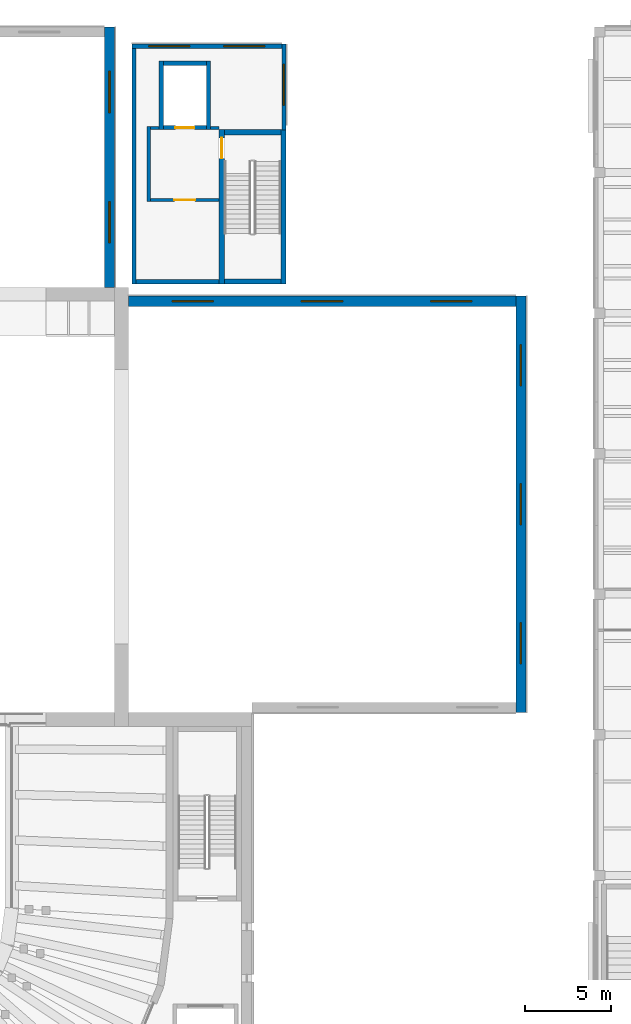
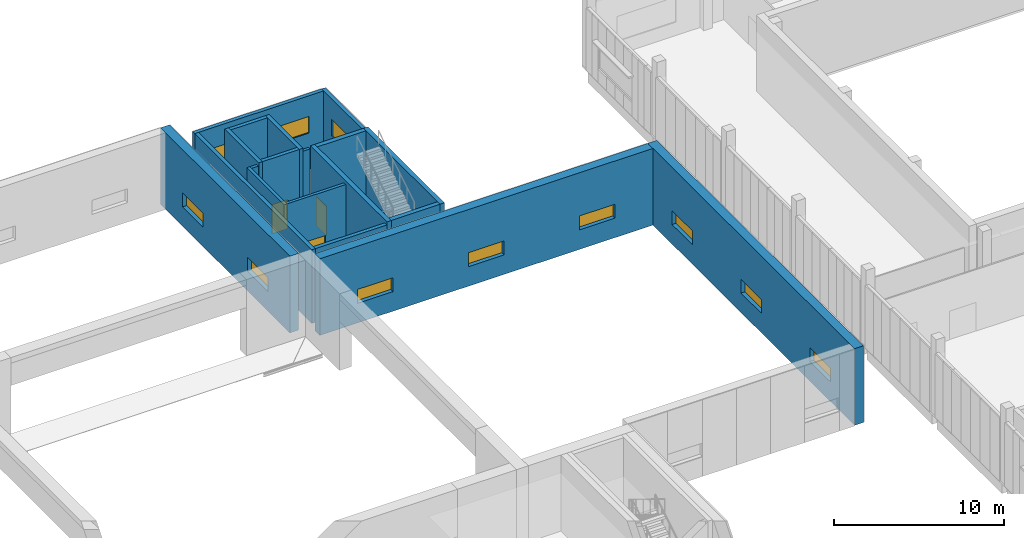
# One storey, part 41 of 87: 19 walls, 11 windows, 3 doors, 14 openings.
"""IFC4 building model written with IfcOpenShell, lengths in metres."""

from ifc_helpers import new_model, si_unit, direction, frame, frame_2d, origin, place, context, subcontext, project, spatial, rectangle, extrude, material, layer, layer_set, type_object, element, fill, save


model = new_model("IFC4")

# Units and contexts
model_context = context("Model", 3, precision=1e-05, world=origin(), true_north=direction((0.0, 1.0)))
body_context = subcontext(model_context, "Body", "Model", "MODEL_VIEW")
ifc_project = project(units=[si_unit("LENGTHUNIT", "METRE"), si_unit("AREAUNIT", "SQUARE_METRE"), si_unit("VOLUMEUNIT", "CUBIC_METRE"), si_unit("PLANEANGLEUNIT", "RADIAN"), si_unit("MASSUNIT", "GRAM", prefix="KILO")], contexts=[model_context])

# Site, building, storey
site_placement = place(None, origin())
site = spatial("IfcSite", under=ifc_project, at=site_placement, CompositionType="ELEMENT")
building_placement = place(site_placement, origin())
building = spatial("IfcBuilding", under=site, at=building_placement, Name="Lunette Opera House", CompositionType="ELEMENT")
storey_placement = place(building_placement, frame((0.0, 0.0, 11.5)))
storey = spatial("IfcBuildingStorey", under=building, at=storey_placement, Name="L02", CompositionType="ELEMENT", Elevation=11.5)

# Walls
ifc_material_1 = material(Name="Concrete C35/45", Category="concrete")
ifc_layer_1 = layer(ifc_material_1, 0.199951171875)
ifc_layer_set_1 = layer_set([ifc_layer_1], Name="Concrete C35/45")
wall_type_1 = type_object("IfcWallType", Name="LOBBY WALL 200", PredefinedType="PARTITIONING", material=ifc_layer_set_1)
wall_1_placement = place(storey_placement, frame((114.080078125, 130.10009765625, 0.0), z_axis=(0.0, 0.0, 1.0), x_axis=(-1.0, 0.0, 0.0)))
element("IfcWall", 1, at=wall_1_placement, inside=storey, type_object=wall_type_1, Name="FL3 lobby wall 2a", PredefinedType="PARTITIONING", context=body_context, shape_type="SweptSolid", body=[
    extrude(rectangle(XDim=0.489990234375, YDim=0.199951171875, at=frame_2d((0.2451171875, 0.0))), origin(), (0.0, 0.0, 1.0), 5.280029296875),
])
wall_2_placement = place(storey_placement, frame((110.580078125, 130.10009765625, 0.0), z_axis=(0.0, 0.0, 1.0), x_axis=(-1.0, 0.0, 0.0)))
element("IfcWall", 2, at=wall_2_placement, inside=storey, type_object=wall_type_1, Name="FL3 lobby wall 2b", PredefinedType="PARTITIONING", context=body_context, shape_type="SweptSolid", body=[
    extrude(rectangle(XDim=0.47998046875, YDim=0.199951171875, at=frame_2d((0.239990234375, 0.0))), origin(), (0.0, 0.0, 1.0), 5.280029296875),
])
wall_3_placement = place(storey_placement, frame((110.0, 130.199951171875, 0.0), z_axis=(0.0, 0.0, 1.0), x_axis=(0.0, -1.0, 0.0)))
element("IfcWall", 3, at=wall_3_placement, inside=storey, type_object=wall_type_1, Name="FL3 lobby wall 3a", PredefinedType="PARTITIONING", context=body_context, shape_type="SweptSolid", body=[
    extrude(rectangle(XDim=4.39990234375, YDim=0.199951171875, at=frame_2d((2.199951171875, 0.0))), origin(), (0.0, 0.0, 1.0), 5.280029296875),
])

# Wall, opening, door
wall_4_placement = place(storey_placement, frame((110.10009765625, 125.89990234375, 0.0), z_axis=(0.0, 0.0, 1.0), x_axis=(1.0, 0.0, 0.0)))
wall_4 = element("IfcWall", 4, at=wall_4_placement, inside=storey, type_object=wall_type_1, Name="FL3 lobby wall 4a", PredefinedType="PARTITIONING", context=body_context, shape_type="SweptSolid", body=[
    extrude(rectangle(XDim=3.97998046875, YDim=0.199951171875, at=frame_2d((1.989990234375, 0.0))), origin(), (0.0, 0.0, 1.0), 5.280029296875),
])
opening_1_placement = place(wall_4_placement, frame((1.389892578125, 0.0, 0.0)))
opening_1 = element("IfcOpeningElement", 5, at=opening_1_placement, cuts=wall_4, Name="Opening ST-D7027", PredefinedType="OPENING", context=body_context, shape_type="SweptSolid", body=[
    extrude(rectangle(XDim=1.199951171875, YDim=2.10009765625, at=frame_2d((0.60009765625, 1.050048828125))), frame((0.0, 0.112060546875, 0.0), z_axis=(0.0, -1.0, 0.0), x_axis=(1.0, 0.0, 0.0)), (0.0, 0.0, 1.0), 0.223876953125),
])
ifc_material_2 = material(Name="Steel", Category="steel")
door_type_1 = type_object("IfcDoorType", Name="FIRE DOOR 1200 X 2100", OperationType="SINGLE_SWING_LEFT", PredefinedType="DOOR", material=ifc_material_2)
door_1_placement = place(opening_1_placement, origin())
door_1 = element("IfcDoor", 6, at=door_1_placement, inside=storey, type_object=door_type_1, Name="FL3 lobby door", OperationType="SINGLE_SWING_LEFT", OverallHeight=2.10009765625, OverallWidth=1.199951171875, PredefinedType="DOOR", context=body_context, shape_type="SweptSolid", body=[
    extrude(rectangle(XDim=1.199951171875, YDim=2.10009765625, at=frame_2d((0.60009765625, 1.050048828125))), frame((0.0, 0.02490234375, 0.0), z_axis=(0.0, -1.0, 0.0), x_axis=(1.0, 0.0, 0.0)), (0.0, 0.0, 1.0), 0.050048828125),
])
fill(opening_1, door_1)

# Walls
ifc_material_3 = material(Name="Concrete C35/45", Category="concrete")
ifc_layer_2 = layer(ifc_material_3, 0.25)
ifc_layer_set_2 = layer_set([ifc_layer_2], Name="Concrete C35/45")
wall_type_2 = type_object("IfcWallType", Name="RC LIFT SHAFT WALL 250", PredefinedType="SOLIDWALL", material=ifc_layer_set_2)
wall_5_placement = place(storey_placement, frame((113.47509765625, 130.0, 0.0), z_axis=(0.0, 0.0, 1.0), x_axis=(0.0, 1.0, 0.0)))
element("IfcWall", 7, at=wall_5_placement, inside=storey, type_object=wall_type_2, Name="FL3 shaft wall 1", PredefinedType="SOLIDWALL", context=body_context, shape_type="SweptSolid", body=[
    extrude(rectangle(XDim=4.0, YDim=0.25, at=frame_2d((2.0, 0.0))), origin(), (0.0, 0.0, 1.0), 5.5),
])
wall_6_placement = place(storey_placement, frame((113.35009765625, 133.875, 0.0), z_axis=(0.0, 0.0, 1.0), x_axis=(-1.0, 0.0, 0.0)))
element("IfcWall", 8, at=wall_6_placement, inside=storey, type_object=wall_type_2, Name="FL3 shaft wall 2", PredefinedType="SOLIDWALL", context=body_context, shape_type="SweptSolid", body=[
    extrude(rectangle(XDim=2.5, YDim=0.25, at=frame_2d((1.25, 0.0))), origin(), (0.0, 0.0, 1.0), 5.5),
])
wall_7_placement = place(storey_placement, frame((110.72509765625, 134.0, 0.0), z_axis=(0.0, 0.0, 1.0), x_axis=(0.0, -1.0, 0.0)))
element("IfcWall", 9, at=wall_7_placement, inside=storey, type_object=wall_type_2, Name="FL3 shaft wall 3", PredefinedType="SOLIDWALL", context=body_context, shape_type="SweptSolid", body=[
    extrude(rectangle(XDim=4.0, YDim=0.25, at=frame_2d((2.0, 0.0))), origin(), (0.0, 0.0, 1.0), 5.5),
])

# Wall, opening, door
wall_8_placement = place(storey_placement, frame((110.85009765625, 130.125, 0.0), z_axis=(0.0, 0.0, 1.0), x_axis=(1.0, 0.0, 0.0)))
wall_8 = element("IfcWall", 10, at=wall_8_placement, inside=storey, type_object=wall_type_2, Name="FL3 shaft wall 4", PredefinedType="SOLIDWALL", context=body_context, shape_type="SweptSolid", body=[
    extrude(rectangle(XDim=2.5, YDim=0.25, at=frame_2d((1.25, 0.0))), origin(), (0.0, 0.0, 1.0), 5.5),
])
opening_2_placement = place(wall_8_placement, frame((0.699951171875, 0.0, 0.0)))
opening_2 = element("IfcOpeningElement", 11, at=opening_2_placement, cuts=wall_8, Name="Opening ST-LD005", PredefinedType="OPENING", context=body_context, shape_type="SweptSolid", body=[
    extrude(rectangle(XDim=1.10009765625, YDim=2.10009765625, at=frame_2d((0.550048828125, 1.050048828125))), frame((0.0, 0.136962890625, 0.0), z_axis=(0.0, -1.0, 0.0), x_axis=(1.0, 0.0, 0.0)), (0.0, 0.0, 1.0), 0.27392578125),
])
ifc_material_4 = material(Name="Stainless steel", Category="steel")
door_type_2 = type_object("IfcDoorType", Name="LIFT LANDING DOOR 1100 X 2100", OperationType="DOUBLE_DOOR_SLIDING", PredefinedType="DOOR", material=ifc_material_4)
door_2_placement = place(opening_2_placement, origin())
door_2 = element("IfcDoor", 12, at=door_2_placement, inside=storey, type_object=door_type_2, Name="FL3 lift landing door", OperationType="DOUBLE_DOOR_SLIDING", OverallHeight=2.10009765625, OverallWidth=1.10009765625, PredefinedType="DOOR", context=body_context, shape_type="SweptSolid", body=[
    extrude(rectangle(XDim=1.10009765625, YDim=2.10009765625, at=frame_2d((0.550048828125, 1.050048828125))), frame((0.0, 0.02490234375, 0.0), z_axis=(0.0, -1.0, 0.0), x_axis=(1.0, 0.0, 0.0)), (0.0, 0.0, 1.0), 0.050048828125),
])
fill(opening_2, door_2)

# Walls
ifc_material_5 = material(Name="Concrete C35/45", Category="concrete")
ifc_layer_3 = layer(ifc_material_5, 0.300048828125)
ifc_layer_set_3 = layer_set([ifc_layer_3], Name="Concrete C35/45")
wall_type_3 = type_object("IfcWallType", Name="RC STAIR ENCLOSURE WALL 300", PredefinedType="SOLIDWALL", material=ifc_layer_set_3)
wall_9_placement = place(storey_placement, frame((117.85009765625, 121.0, 0.0), z_axis=(0.0, 0.0, 1.0), x_axis=(0.0, 1.0, 0.0)))
element("IfcWall", 13, at=wall_9_placement, inside=storey, type_object=wall_type_3, Name="ST12 enclosure wall 1", PredefinedType="SOLIDWALL", context=body_context, shape_type="SweptSolid", body=[
    extrude(rectangle(XDim=9.0, YDim=0.300048828125, at=frame_2d((4.5, 0.0))), origin(), (0.0, 0.0, 1.0), 5.5),
])
wall_10_placement = place(storey_placement, frame((117.699951171875, 129.85009765625, 0.0), z_axis=(0.0, 0.0, 1.0), x_axis=(-1.0, 0.0, 0.0)))
element("IfcWall", 14, at=wall_10_placement, inside=storey, type_object=wall_type_3, Name="ST12 enclosure wall 2", PredefinedType="SOLIDWALL", context=body_context, shape_type="SweptSolid", body=[
    extrude(rectangle(XDim=3.300048828125, YDim=0.300048828125, at=frame_2d((1.64990234375, 0.0))), origin(), (0.0, 0.0, 1.0), 5.5),
])

# Wall, opening, door
wall_11_placement = place(storey_placement, frame((114.25, 130.0, 0.0), z_axis=(0.0, 0.0, 1.0), x_axis=(0.0, -1.0, 0.0)))
wall_11 = element("IfcWall", 15, at=wall_11_placement, inside=storey, type_object=wall_type_3, Name="ST12 enclosure wall 3", PredefinedType="SOLIDWALL", context=body_context, shape_type="SweptSolid", body=[
    extrude(rectangle(XDim=9.0, YDim=0.300048828125, at=frame_2d((4.5, 0.0))), origin(), (0.0, 0.0, 1.0), 5.5),
])
opening_3_placement = place(wall_11_placement, frame((0.47509765625, 0.0, 0.0)))
opening_3 = element("IfcOpeningElement", 16, at=opening_3_placement, cuts=wall_11, Name="Opening ST-D7014", PredefinedType="OPENING", context=body_context, shape_type="SweptSolid", body=[
    extrude(rectangle(XDim=1.199951171875, YDim=2.10009765625, at=frame_2d((0.60009765625, 1.050048828125))), frame((0.0, 0.162109375, 0.0), z_axis=(0.0, -1.0, 0.0), x_axis=(1.0, 0.0, 0.0)), (0.0, 0.0, 1.0), 0.323974609375),
])
door_3_placement = place(opening_3_placement, origin())
door_3 = element("IfcDoor", 17, at=door_3_placement, inside=storey, type_object=door_type_1, Name="ST12 stair door", OperationType="SINGLE_SWING_LEFT", OverallHeight=2.10009765625, OverallWidth=1.199951171875, PredefinedType="DOOR", context=body_context, shape_type="SweptSolid", body=[
    extrude(rectangle(XDim=1.199951171875, YDim=2.10009765625, at=frame_2d((0.60009765625, 1.050048828125))), frame((0.0, 0.02490234375, 0.0), z_axis=(0.0, -1.0, 0.0), x_axis=(1.0, 0.0, 0.0)), (0.0, 0.0, 1.0), 0.050048828125),
])
fill(opening_3, door_3)

# Wall
wall_12_placement = place(storey_placement, frame((114.39990234375, 121.14990234375, 0.0), z_axis=(0.0, 0.0, 1.0), x_axis=(1.0, 0.0, 0.0)))
element("IfcWall", 18, at=wall_12_placement, inside=storey, type_object=wall_type_3, Name="ST12 enclosure wall 4", PredefinedType="SOLIDWALL", context=body_context, shape_type="SweptSolid", body=[
    extrude(rectangle(XDim=3.300048828125, YDim=0.300048828125, at=frame_2d((1.64990234375, 0.0))), origin(), (0.0, 0.0, 1.0), 5.5),
])

# Wall, openings, windows
ifc_material_6 = material(Name="Concrete C35/45", Category="concrete")
ifc_layer_4 = layer(ifc_material_6, 0.60009765625)
ifc_layer_set_4 = layer_set([ifc_layer_4], Name="Concrete C35/45")
wall_type_4 = type_object("IfcWallType", Name="RC WALL 600", PredefinedType="SHEAR", material=ifc_layer_set_4)
wall_13_placement = place(storey_placement, frame((131.699951171875, 96.0, 0.0), z_axis=(0.0, 0.0, 1.0), x_axis=(0.0, 1.0, 0.0)))
wall_13 = element("IfcWall", 19, at=wall_13_placement, inside=storey, type_object=wall_type_4, Name="wall-ST-L02-SE-E-1", PredefinedType="SHEAR", context=body_context, shape_type="SweptSolid", body=[
    extrude(rectangle(XDim=24.300048828125, YDim=0.60009765625, at=frame_2d((12.14990234375, 0.0))), origin(), (0.0, 0.0, 1.0), 5.5),
])
opening_4_placement = place(wall_13_placement, frame((2.85009765625, 0.0, 1.39990234375)))
opening_4 = element("IfcOpeningElement", 20, at=opening_4_placement, cuts=wall_13, Name="Opening ST-N2097", PredefinedType="OPENING", context=body_context, shape_type="SweptSolid", body=[
    extrude(rectangle(XDim=2.39990234375, YDim=1.0, at=frame_2d((1.199951171875, 0.5))), frame((0.0, 0.31201171875, 0.0), z_axis=(0.0, -1.0, 0.0), x_axis=(1.0, 0.0, 0.0)), (0.0, 0.0, 1.0), 0.6240234375),
])
opening_5_placement = place(wall_13_placement, frame((10.949951171875, 0.0, 1.39990234375)))
opening_5 = element("IfcOpeningElement", 21, at=opening_5_placement, cuts=wall_13, Name="Opening ST-N2098", PredefinedType="OPENING", context=body_context, shape_type="SweptSolid", body=[
    extrude(rectangle(XDim=2.39990234375, YDim=1.0, at=frame_2d((1.199951171875, 0.5))), frame((0.0, 0.31201171875, 0.0), z_axis=(0.0, -1.0, 0.0), x_axis=(1.0, 0.0, 0.0)), (0.0, 0.0, 1.0), 0.6240234375),
])
opening_6_placement = place(wall_13_placement, frame((19.050048828125, 0.0, 1.39990234375)))
opening_6 = element("IfcOpeningElement", 22, at=opening_6_placement, cuts=wall_13, Name="Opening ST-N2099", PredefinedType="OPENING", context=body_context, shape_type="SweptSolid", body=[
    extrude(rectangle(XDim=2.39990234375, YDim=1.0, at=frame_2d((1.199951171875, 0.5))), frame((0.0, 0.31201171875, 0.0), z_axis=(0.0, -1.0, 0.0), x_axis=(1.0, 0.0, 0.0)), (0.0, 0.0, 1.0), 0.6240234375),
])
ifc_material_7 = material(Name="Aluminium", Category="aluminium")
window_type_1 = type_object("IfcWindowType", Name="STAGE CLERESTORY WINDOW 2400 X 1000", PartitioningType="SINGLE_PANEL", PredefinedType="WINDOW", material=ifc_material_7)
window_1_placement = place(opening_4_placement, origin())
window_1 = element("IfcWindow", 23, at=window_1_placement, inside=storey, type_object=window_type_1, Name="Stage Clerestory Window 2400 X 1000 SE-E1 L02", OverallHeight=1.0, OverallWidth=2.39990234375, PartitioningType="SINGLE_PANEL", PredefinedType="WINDOW", context=body_context, shape_type="SweptSolid", body=[
    extrude(rectangle(XDim=2.39990234375, YDim=1.0, at=frame_2d((1.199951171875, 0.5))), frame((0.0, 0.030029296875, 0.0), z_axis=(0.0, -1.0, 0.0), x_axis=(1.0, 0.0, 0.0)), (0.0, 0.0, 1.0), 0.06005859375),
])
fill(opening_4, window_1)
window_2_placement = place(opening_5_placement, origin())
window_2 = element("IfcWindow", 24, at=window_2_placement, inside=storey, type_object=window_type_1, Name="Stage Clerestory Window 2400 X 1000 SE-E2 L02", OverallHeight=1.0, OverallWidth=2.39990234375, PartitioningType="SINGLE_PANEL", PredefinedType="WINDOW", context=body_context, shape_type="SweptSolid", body=[
    extrude(rectangle(XDim=2.39990234375, YDim=1.0, at=frame_2d((1.199951171875, 0.5))), frame((0.0, 0.030029296875, 0.0), z_axis=(0.0, -1.0, 0.0), x_axis=(1.0, 0.0, 0.0)), (0.0, 0.0, 1.0), 0.06005859375),
])
fill(opening_5, window_2)
window_3_placement = place(opening_6_placement, origin())
window_3 = element("IfcWindow", 25, at=window_3_placement, inside=storey, type_object=window_type_1, Name="Stage Clerestory Window 2400 X 1000 SE-E3 L02", OverallHeight=1.0, OverallWidth=2.39990234375, PartitioningType="SINGLE_PANEL", PredefinedType="WINDOW", context=body_context, shape_type="SweptSolid", body=[
    extrude(rectangle(XDim=2.39990234375, YDim=1.0, at=frame_2d((1.199951171875, 0.5))), frame((0.0, 0.030029296875, 0.0), z_axis=(0.0, -1.0, 0.0), x_axis=(1.0, 0.0, 0.0)), (0.0, 0.0, 1.0), 0.06005859375),
])
fill(opening_6, window_3)

wall_14_placement = place(storey_placement, frame((108.800048828125, 120.0, 0.0), z_axis=(0.0, 0.0, 1.0), x_axis=(1.0, 0.0, 0.0)))
wall_14 = element("IfcWall", 26, at=wall_14_placement, inside=storey, type_object=wall_type_4, Name="wall-ST-L02-SE-N-1", PredefinedType="SHEAR", context=body_context, shape_type="SweptSolid", body=[
    extrude(rectangle(XDim=22.599853515625, YDim=0.60009765625, at=frame_2d((11.2998046875, 0.0))), origin(), (0.0, 0.0, 1.0), 5.5),
])
opening_7_placement = place(wall_14_placement, frame((2.56689453125, 0.0, 1.39990234375)))
opening_7 = element("IfcOpeningElement", 27, at=opening_7_placement, cuts=wall_14, Name="Opening ST-N2103", PredefinedType="OPENING", context=body_context, shape_type="SweptSolid", body=[
    extrude(rectangle(XDim=2.39990234375, YDim=1.0, at=frame_2d((1.199951171875, 0.5))), frame((0.0, 0.31201171875, 0.0), z_axis=(0.0, -1.0, 0.0), x_axis=(1.0, 0.0, 0.0)), (0.0, 0.0, 1.0), 0.6240234375),
])
opening_8_placement = place(wall_14_placement, frame((10.10009765625, 0.0, 1.39990234375)))
opening_8 = element("IfcOpeningElement", 28, at=opening_8_placement, cuts=wall_14, Name="Opening ST-N2104", PredefinedType="OPENING", context=body_context, shape_type="SweptSolid", body=[
    extrude(rectangle(XDim=2.39990234375, YDim=1.0, at=frame_2d((1.199951171875, 0.5))), frame((0.0, 0.31201171875, 0.0), z_axis=(0.0, -1.0, 0.0), x_axis=(1.0, 0.0, 0.0)), (0.0, 0.0, 1.0), 0.6240234375),
])
opening_9_placement = place(wall_14_placement, frame((17.633056640625, 0.0, 1.39990234375)))
opening_9 = element("IfcOpeningElement", 29, at=opening_9_placement, cuts=wall_14, Name="Opening ST-N2105", PredefinedType="OPENING", context=body_context, shape_type="SweptSolid", body=[
    extrude(rectangle(XDim=2.39990234375, YDim=1.0, at=frame_2d((1.199951171875, 0.5))), frame((0.0, 0.31201171875, 0.0), z_axis=(0.0, -1.0, 0.0), x_axis=(1.0, 0.0, 0.0)), (0.0, 0.0, 1.0), 0.6240234375),
])
window_4_placement = place(opening_7_placement, origin())
window_4 = element("IfcWindow", 30, at=window_4_placement, inside=storey, type_object=window_type_1, Name="Stage Clerestory Window 2400 X 1000 SE-N1 L02", OverallHeight=1.0, OverallWidth=2.39990234375, PartitioningType="SINGLE_PANEL", PredefinedType="WINDOW", context=body_context, shape_type="SweptSolid", body=[
    extrude(rectangle(XDim=2.39990234375, YDim=1.0, at=frame_2d((1.199951171875, 0.5))), frame((0.0, 0.030029296875, 0.0), z_axis=(0.0, -1.0, 0.0), x_axis=(1.0, 0.0, 0.0)), (0.0, 0.0, 1.0), 0.06005859375),
])
fill(opening_7, window_4)
window_5_placement = place(opening_8_placement, origin())
window_5 = element("IfcWindow", 31, at=window_5_placement, inside=storey, type_object=window_type_1, Name="Stage Clerestory Window 2400 X 1000 SE-N2 L02", OverallHeight=1.0, OverallWidth=2.39990234375, PartitioningType="SINGLE_PANEL", PredefinedType="WINDOW", context=body_context, shape_type="SweptSolid", body=[
    extrude(rectangle(XDim=2.39990234375, YDim=1.0, at=frame_2d((1.199951171875, 0.5))), frame((0.0, 0.030029296875, 0.0), z_axis=(0.0, -1.0, 0.0), x_axis=(1.0, 0.0, 0.0)), (0.0, 0.0, 1.0), 0.06005859375),
])
fill(opening_8, window_5)
window_6_placement = place(opening_9_placement, origin())
window_6 = element("IfcWindow", 32, at=window_6_placement, inside=storey, type_object=window_type_1, Name="Stage Clerestory Window 2400 X 1000 SE-N3 L02", OverallHeight=1.0, OverallWidth=2.39990234375, PartitioningType="SINGLE_PANEL", PredefinedType="WINDOW", context=body_context, shape_type="SweptSolid", body=[
    extrude(rectangle(XDim=2.39990234375, YDim=1.0, at=frame_2d((1.199951171875, 0.5))), frame((0.0, 0.030029296875, 0.0), z_axis=(0.0, -1.0, 0.0), x_axis=(1.0, 0.0, 0.0)), (0.0, 0.0, 1.0), 0.06005859375),
])
fill(opening_9, window_6)

wall_15_placement = place(storey_placement, frame((107.699951171875, 120.800048828125, 0.0), z_axis=(0.0, 0.0, 1.0), x_axis=(0.0, 1.0, 0.0)))
wall_15 = element("IfcWall", 33, at=wall_15_placement, inside=storey, type_object=wall_type_4, Name="wall-ST-L02-SR-E-1", PredefinedType="SHEAR", context=body_context, shape_type="SweptSolid", body=[
    extrude(rectangle(XDim=15.199951171875, YDim=0.60009765625, at=frame_2d((7.60009765625, 0.0))), origin(), (0.0, 0.0, 1.0), 5.5),
])
opening_10_placement = place(wall_15_placement, frame((2.60009765625, 0.0, 1.39990234375)))
opening_10 = element("IfcOpeningElement", 34, at=opening_10_placement, cuts=wall_15, Name="Opening ST-N2117", PredefinedType="OPENING", context=body_context, shape_type="SweptSolid", body=[
    extrude(rectangle(XDim=2.39990234375, YDim=1.0, at=frame_2d((1.199951171875, 0.5))), frame((0.0, 0.31201171875, 0.0), z_axis=(0.0, -1.0, 0.0), x_axis=(1.0, 0.0, 0.0)), (0.0, 0.0, 1.0), 0.6240234375),
])
opening_11_placement = place(wall_15_placement, frame((10.199951171875, 0.0, 1.39990234375)))
opening_11 = element("IfcOpeningElement", 35, at=opening_11_placement, cuts=wall_15, Name="Opening ST-N2118", PredefinedType="OPENING", context=body_context, shape_type="SweptSolid", body=[
    extrude(rectangle(XDim=2.39990234375, YDim=1.0, at=frame_2d((1.199951171875, 0.5))), frame((0.0, 0.31201171875, 0.0), z_axis=(0.0, -1.0, 0.0), x_axis=(1.0, 0.0, 0.0)), (0.0, 0.0, 1.0), 0.6240234375),
])
window_7_placement = place(opening_10_placement, origin())
window_7 = element("IfcWindow", 36, at=window_7_placement, inside=storey, type_object=window_type_1, Name="Stage Clerestory Window 2400 X 1000 SR-E1 L02", OverallHeight=1.0, OverallWidth=2.39990234375, PartitioningType="SINGLE_PANEL", PredefinedType="WINDOW", context=body_context, shape_type="SweptSolid", body=[
    extrude(rectangle(XDim=2.39990234375, YDim=1.0, at=frame_2d((1.199951171875, 0.5))), frame((0.0, 0.030029296875, 0.0), z_axis=(0.0, -1.0, 0.0), x_axis=(1.0, 0.0, 0.0)), (0.0, 0.0, 1.0), 0.06005859375),
])
fill(opening_10, window_7)
window_8_placement = place(opening_11_placement, origin())
window_8 = element("IfcWindow", 37, at=window_8_placement, inside=storey, type_object=window_type_1, Name="Stage Clerestory Window 2400 X 1000 SR-E2 L02", OverallHeight=1.0, OverallWidth=2.39990234375, PartitioningType="SINGLE_PANEL", PredefinedType="WINDOW", context=body_context, shape_type="SweptSolid", body=[
    extrude(rectangle(XDim=2.39990234375, YDim=1.0, at=frame_2d((1.199951171875, 0.5))), frame((0.0, 0.030029296875, 0.0), z_axis=(0.0, -1.0, 0.0), x_axis=(1.0, 0.0, 0.0)), (0.0, 0.0, 1.0), 0.06005859375),
])
fill(opening_11, window_8)

# Wall, opening, window
ifc_material_8 = material(Name="Insulated aluminium sandwich panel", Category="aluminium")
ifc_layer_5 = layer(ifc_material_8, 0.25)
ifc_layer_set_5 = layer_set([ifc_layer_5], Name="Insulated aluminium sandwich panel")
wall_type_5 = type_object("IfcWallType", Name="STAGE TOWER WALL 250", PredefinedType="SOLIDWALL", material=ifc_layer_set_5)
wall_16_placement = place(storey_placement, frame((117.875, 129.9951171875, 0.0), z_axis=(0.0, 0.0, 1.0), x_axis=(0.0, 1.0, 0.0)))
wall_16 = element("IfcWall", 38, at=wall_16_placement, inside=storey, type_object=wall_type_5, Name="Stage Tower Wall 250 TE-017 L02", PredefinedType="SOLIDWALL", context=body_context, shape_type="SweptSolid", body=[
    extrude(rectangle(XDim=5.0048828125, YDim=0.25, at=frame_2d((2.50244140625, 0.0))), origin(), (0.0, 0.0, 1.0), 5.280029296875),
])
opening_12_placement = place(wall_16_placement, frame((1.429931640625, 0.0, 2.60009765625)))
opening_12 = element("IfcOpeningElement", 39, at=opening_12_placement, cuts=wall_16, Name="Opening ST-N2134", PredefinedType="OPENING", context=body_context, shape_type="SweptSolid", body=[
    extrude(rectangle(XDim=2.39990234375, YDim=1.199951171875, at=frame_2d((1.199951171875, 0.60009765625))), frame((0.0, 0.136962890625, 0.0), z_axis=(0.0, -1.0, 0.0), x_axis=(1.0, 0.0, 0.0)), (0.0, 0.0, 1.0), 0.27392578125),
])
ifc_material_9 = material(Name="Aluminium", Category="aluminium")
window_type_2 = type_object("IfcWindowType", Name="TOWER RIBBON WINDOW 2400 X 1200", PartitioningType="SINGLE_PANEL", PredefinedType="WINDOW", material=ifc_material_9)
window_9_placement = place(opening_12_placement, origin())
window_9 = element("IfcWindow", 40, at=window_9_placement, inside=storey, type_object=window_type_2, Name="Tower Ribbon Window 2400 X 1200 TTW17-1 L02", OverallHeight=1.199951171875, OverallWidth=2.39990234375, PartitioningType="SINGLE_PANEL", PredefinedType="WINDOW", context=body_context, shape_type="SweptSolid", body=[
    extrude(rectangle(XDim=2.39990234375, YDim=1.199951171875, at=frame_2d((1.199951171875, 0.60009765625))), frame((0.0, 0.030029296875, 0.0), z_axis=(0.0, -1.0, 0.0), x_axis=(1.0, 0.0, 0.0)), (0.0, 0.0, 1.0), 0.06005859375),
])
fill(opening_12, window_9)

# Wall, openings, windows
wall_17_placement = place(storey_placement, frame((117.75, 134.875, 0.0), z_axis=(0.0, 0.0, 1.0), x_axis=(-1.0, 0.0, 0.0)))
wall_17 = element("IfcWall", 41, at=wall_17_placement, inside=storey, type_object=wall_type_5, Name="Stage Tower Wall 250 TE-018 L02", PredefinedType="SOLIDWALL", context=body_context, shape_type="SweptSolid", body=[
    extrude(rectangle(XDim=8.75, YDim=0.25, at=frame_2d((4.375, 0.0))), origin(), (0.0, 0.0, 1.0), 5.280029296875),
])
opening_13_placement = place(wall_17_placement, frame((0.988037109375, 0.0, 2.60009765625)))
opening_13 = element("IfcOpeningElement", 42, at=opening_13_placement, cuts=wall_17, Name="Opening ST-N2135", PredefinedType="OPENING", context=body_context, shape_type="SweptSolid", body=[
    extrude(rectangle(XDim=2.39990234375, YDim=1.199951171875, at=frame_2d((1.199951171875, 0.60009765625))), frame((0.0, 0.136962890625, 0.0), z_axis=(0.0, -1.0, 0.0), x_axis=(1.0, 0.0, 0.0)), (0.0, 0.0, 1.0), 0.27392578125),
])
opening_14_placement = place(wall_17_placement, frame((5.362060546875, 0.0, 2.60009765625)))
opening_14 = element("IfcOpeningElement", 43, at=opening_14_placement, cuts=wall_17, Name="Opening ST-N2136", PredefinedType="OPENING", context=body_context, shape_type="SweptSolid", body=[
    extrude(rectangle(XDim=2.39990234375, YDim=1.199951171875, at=frame_2d((1.199951171875, 0.60009765625))), frame((0.0, 0.136962890625, 0.0), z_axis=(0.0, -1.0, 0.0), x_axis=(1.0, 0.0, 0.0)), (0.0, 0.0, 1.0), 0.27392578125),
])
window_10_placement = place(opening_13_placement, origin())
window_10 = element("IfcWindow", 44, at=window_10_placement, inside=storey, type_object=window_type_2, Name="Tower Ribbon Window 2400 X 1200 TTW18-1 L02", OverallHeight=1.199951171875, OverallWidth=2.39990234375, PartitioningType="SINGLE_PANEL", PredefinedType="WINDOW", context=body_context, shape_type="SweptSolid", body=[
    extrude(rectangle(XDim=2.39990234375, YDim=1.199951171875, at=frame_2d((1.199951171875, 0.60009765625))), frame((0.0, 0.030029296875, 0.0), z_axis=(0.0, -1.0, 0.0), x_axis=(1.0, 0.0, 0.0)), (0.0, 0.0, 1.0), 0.06005859375),
])
fill(opening_13, window_10)
window_11_placement = place(opening_14_placement, origin())
window_11 = element("IfcWindow", 45, at=window_11_placement, inside=storey, type_object=window_type_2, Name="Tower Ribbon Window 2400 X 1200 TTW18-2 L02", OverallHeight=1.199951171875, OverallWidth=2.39990234375, PartitioningType="SINGLE_PANEL", PredefinedType="WINDOW", context=body_context, shape_type="SweptSolid", body=[
    extrude(rectangle(XDim=2.39990234375, YDim=1.199951171875, at=frame_2d((1.199951171875, 0.60009765625))), frame((0.0, 0.030029296875, 0.0), z_axis=(0.0, -1.0, 0.0), x_axis=(1.0, 0.0, 0.0)), (0.0, 0.0, 1.0), 0.06005859375),
])
fill(opening_14, window_11)

# Walls
wall_18_placement = place(storey_placement, frame((109.125, 134.75, 0.0), z_axis=(0.0, 0.0, 1.0), x_axis=(0.0, -1.0, 0.0)))
element("IfcWall", 46, at=wall_18_placement, inside=storey, type_object=wall_type_5, Name="Stage Tower Wall 250 TE-019 L02", PredefinedType="SOLIDWALL", context=body_context, shape_type="SweptSolid", body=[
    extrude(rectangle(XDim=13.75, YDim=0.25, at=frame_2d((6.875, 0.0))), origin(), (0.0, 0.0, 1.0), 5.280029296875),
])
wall_19_placement = place(storey_placement, frame((109.25, 121.125, 0.0), z_axis=(0.0, 0.0, 1.0), x_axis=(1.0, 0.0, 0.0)))
element("IfcWall", 47, at=wall_19_placement, inside=storey, type_object=wall_type_5, Name="Stage Tower Wall 250 TE-020 L02", PredefinedType="SOLIDWALL", context=body_context, shape_type="SweptSolid", body=[
    extrude(rectangle(XDim=4.85205078125, YDim=0.25, at=frame_2d((2.426025390625, 0.0))), origin(), (0.0, 0.0, 1.0), 5.280029296875),
])

save(model, "model.ifc")
